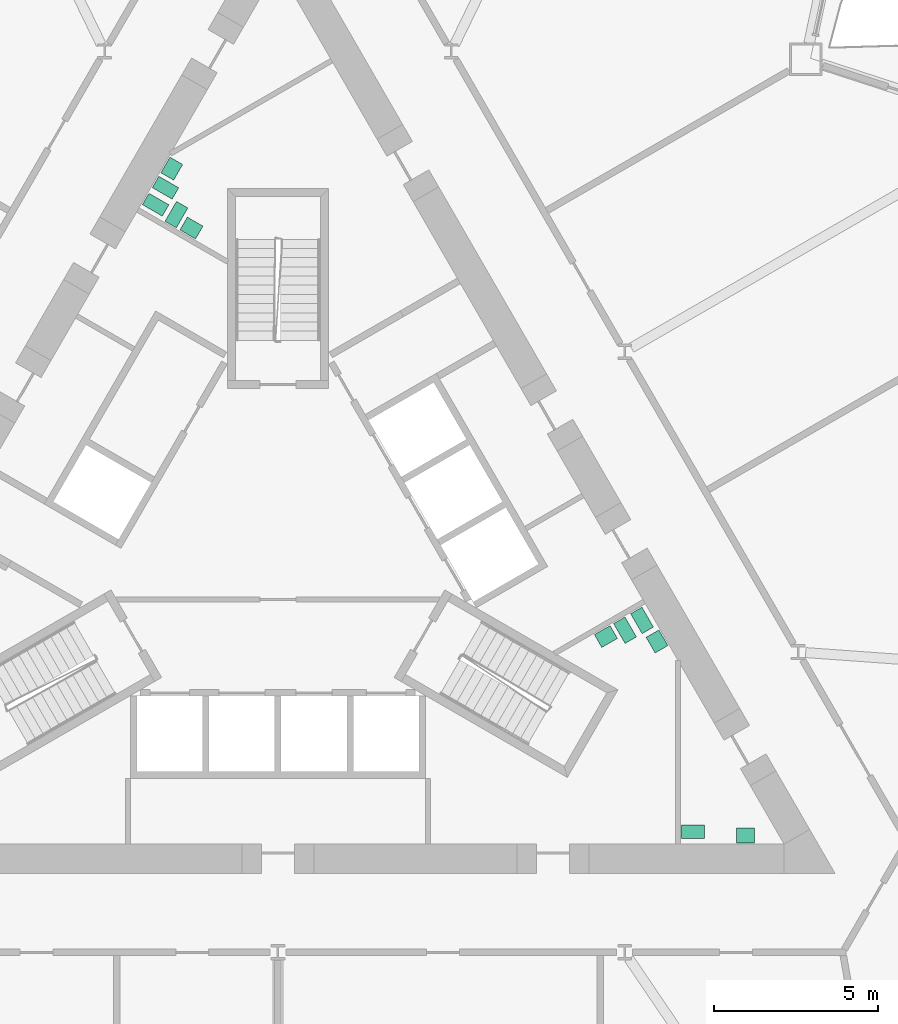
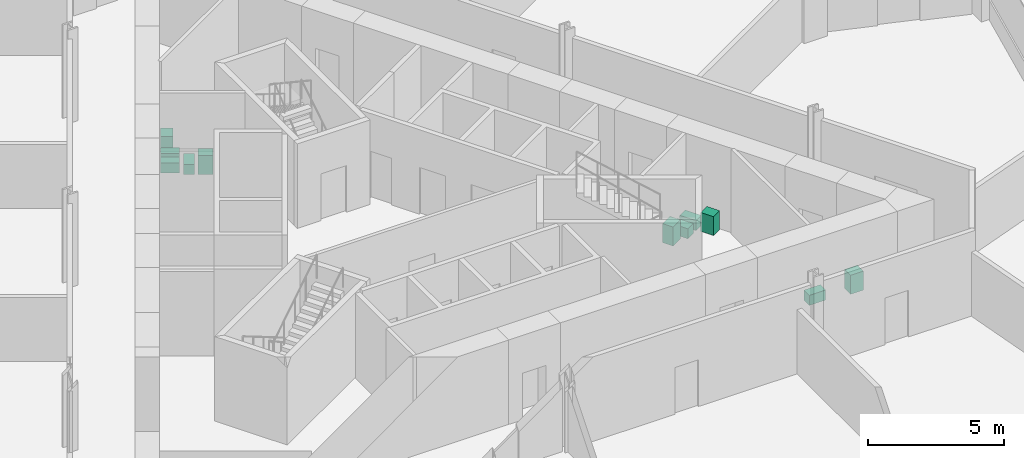
# One storey, part 20 of 21: 11 sanitary terminals.
"""IFC4 building model written with IfcOpenShell, lengths in metres."""

import ifcopenshell
import ifcopenshell.guid

model = None  # the IFC model being written
_history = None  # IfcOwnerHistory: only IFC2X3 demands one
_inside = {}  # id of a spatial element -> (the spatial element, [elements in it])
_under = {}  # id of a project, library or spatial element -> (it, [spatial elements below it])
_declared = {}  # id of a project -> (the project, [libraries it declares])
_typed = {}  # id of a type object -> (the type object, [elements of that type])
_made_of = {}  # id of a material, layer set ... -> (it, [elements and type objects made of it])


def new_model(schema):
    """Start an empty IFC model of exactly this schema.

    Asked for "IFC4X3", IfcOpenShell would pick the latest addendum, in which some entities
    have other attributes; the version numbers below select the first issue.
    IFC2X3 requires an IfcOwnerHistory on every rooted entity: one is made here for all.
    """
    global model, _history
    if schema == "IFC4X3":
        model = ifcopenshell.file(schema_version=(4, 3, 0, 0))
    else:
        model = ifcopenshell.file(schema=schema)
    _inside.clear()
    _under.clear()
    _declared.clear()
    _typed.clear()
    _made_of.clear()
    _history = None
    if model.schema == "IFC2X3":
        org = make("IfcOrganization", Name="unknown")
        user = make(
            "IfcPersonAndOrganization",
            ThePerson=make("IfcPerson", FamilyName="unknown"),
            TheOrganization=org,
        )
        app = make(
            "IfcApplication",
            ApplicationDeveloper=org,
            Version="unknown",
            ApplicationFullName="unknown",
            ApplicationIdentifier="unknown",
        )
        _history = make(
            "IfcOwnerHistory",
            OwningUser=user,
            OwningApplication=app,
            ChangeAction="ADDED",
            CreationDate=0,
        )
    return model


def make(cls, **values):
    """One entity of the class cls with the attributes given. An attribute that is None is left unset."""
    return model.create_entity(
        cls, **{name: value for name, value in values.items() if value is not None}
    )


def rooted(cls, **values):
    """An entity with a GlobalId (a new one), such as an element, a storey or a relation."""
    return make(cls, GlobalId=ifcopenshell.guid.new(), OwnerHistory=_history, **values)


def si_unit(unit_type, name, prefix=None):
    """IfcSIUnit, for example si_unit("LENGTHUNIT", "METRE", prefix="MILLI")."""
    return make("IfcSIUnit", UnitType=unit_type, Prefix=prefix, Name=name)


def assignment(units):
    """IfcUnitAssignment: the units of a project."""
    return None if units is None else make("IfcUnitAssignment", Units=units)


def point(xyz):
    """IfcCartesianPoint."""
    return None if xyz is None else make("IfcCartesianPoint", Coordinates=xyz)


def direction(xyz):
    """IfcDirection."""
    return None if xyz is None else make("IfcDirection", DirectionRatios=xyz)


def frame(location, z_axis=None, x_axis=None):
    """IfcAxis2Placement3D, a coordinate frame: its origin and axes. An axis left out is left unset."""
    return make(
        "IfcAxis2Placement3D",
        Location=point(location),
        Axis=direction(z_axis),
        RefDirection=direction(x_axis),
    )


def frame_2d(location, x_axis=None):
    """IfcAxis2Placement2D, a coordinate frame in the plane: its origin and x axis."""
    return make(
        "IfcAxis2Placement2D", Location=point(location), RefDirection=direction(x_axis)
    )


def origin():
    """The frame at (0, 0, 0) with its axes left unset."""
    return frame((0.0, 0.0, 0.0))


def origin_2d():
    """The frame at (0, 0) in the plane with its x axis left unset."""
    return frame_2d((0.0, 0.0))


def place(relative_to, where):
    """IfcLocalPlacement: puts the frame where relative to a parent placement (None: the world)."""
    return make(
        "IfcLocalPlacement", PlacementRelTo=relative_to, RelativePlacement=where
    )


def context(
    kind, dimensions, precision=None, world=None, true_north=None, identifier=None
):
    """IfcGeometricRepresentationContext, for example the 3D "Model" context."""
    return make(
        "IfcGeometricRepresentationContext",
        ContextIdentifier=identifier,
        ContextType=kind,
        CoordinateSpaceDimension=dimensions,
        Precision=precision,
        WorldCoordinateSystem=world,
        TrueNorth=true_north,
    )


def subcontext(parent, identifier, kind, view, scale=None):
    """IfcGeometricRepresentationSubContext, for example "Body" below "Model"."""
    return make(
        "IfcGeometricRepresentationSubContext",
        ContextIdentifier=identifier,
        ContextType=kind,
        ParentContext=parent,
        TargetScale=scale,
        TargetView=view,
    )


def project(units=None, contexts=None):
    """IfcProject with its units and contexts."""
    return rooted(
        "IfcProject",
        Name="project",
        RepresentationContexts=contexts,
        UnitsInContext=assignment(units),
    )


def spatial(cls, under=None, at=None, **own):
    """A site, building, storey or space (cls), placed at a placement, below another one or the project."""
    s = rooted(cls, ObjectPlacement=at, **own)
    if under is not None:
        _under.setdefault(under.id(), (under, []))[1].append(s)
    return s


def profile(cls, at=None, kind="AREA", **sizes):
    """A parametric profile (cls). Its sizes go by their IFC names, for example OverallWidth=200.0."""
    return make(cls, ProfileType=kind, Position=at, **sizes)


def rectangle(**sizes):
    """IfcRectangleProfileDef."""
    return profile("IfcRectangleProfileDef", **sizes)


def extrude(swept, where, along, depth):
    """IfcExtrudedAreaSolid: the profile swept, set in the frame where, extruded along a direction by depth."""
    return make(
        "IfcExtrudedAreaSolid",
        SweptArea=swept,
        Position=where,
        ExtrudedDirection=direction(along),
        Depth=depth,
    )


def shape(context_of_items, identifier, shape_type, items):
    """IfcShapeRepresentation: the items that make up one representation, for example the "Body"."""
    return make(
        "IfcShapeRepresentation",
        ContextOfItems=context_of_items,
        RepresentationIdentifier=identifier,
        RepresentationType=shape_type,
        Items=items,
    )


def material(Name=None, Category=None):
    """IfcMaterial."""
    return make("IfcMaterial", Name=Name, Category=Category)


def made_of(thing, what):
    """Note that an element or type object is made of a material, layer set ...; save() writes the relation."""
    if what is not None:
        _made_of.setdefault(what.id(), (what, []))[1].append(thing)
    return thing


def type_object(cls, material=None, **own):
    """A type object (cls), such as IfcWallType, which elements share."""
    return made_of(rooted(cls, **own), material)


def element(
    cls,
    number,
    at=None,
    inside=None,
    cuts=None,
    type_object=None,
    material=None,
    context=None,
    identifier="Body",
    shape_type=None,
    held_by="IfcProductDefinitionShape",
    body=None,
    shapes=None,
    **own,
):
    """One element of the class cls, such as IfcWall. Its Tag is "e" and its number.

    at: its placement. inside: the storey or other place that contains it. cuts: it is an
    opening in that element (IfcRelVoidsElement). A single representation is given by context,
    identifier, shape_type and body (its items); several are given by shapes. held_by: the class
    of the entity that holds the representations. save() writes the other relations.
    """
    e = rooted(cls, Tag="e%d" % number, ObjectPlacement=at, **own)
    if body is not None:
        shapes = [shape(context, identifier, shape_type, body)]
    if shapes is not None:
        e.Representation = make(held_by, Representations=shapes)
    if inside is not None:
        _inside.setdefault(inside.id(), (inside, []))[1].append(e)
    if cuts is not None:
        rooted(
            "IfcRelVoidsElement", RelatingBuildingElement=cuts, RelatedOpeningElement=e
        )
    if type_object is not None:
        _typed.setdefault(type_object.id(), (type_object, []))[1].append(e)
    return made_of(e, material)


def aggregate(whole, parts):
    """IfcRelAggregates: a whole, such as a stair, and the parts it consists of."""
    return rooted("IfcRelAggregates", RelatingObject=whole, RelatedObjects=parts)


def save(model, path):
    """Write the relations noted so far, then the file.

    IfcRelAggregates (storeys below a building ...), IfcRelContainedInSpatialStructure (elements
    in a storey), IfcRelDefinesByType, IfcRelAssociatesMaterial and IfcRelDeclares: one each for
    every whole, place, type object, material and project.
    """
    for whole, parts in _under.values():
        aggregate(whole, parts)
    for where, things in _inside.values():
        rooted(
            "IfcRelContainedInSpatialStructure",
            RelatedElements=things,
            RelatingStructure=where,
        )
    for kind, things in _typed.values():
        rooted("IfcRelDefinesByType", RelatedObjects=things, RelatingType=kind)
    for what, things in _made_of.values():
        rooted("IfcRelAssociatesMaterial", RelatedObjects=things, RelatingMaterial=what)
    for by, libraries in _declared.values():
        rooted("IfcRelDeclares", RelatingContext=by, RelatedDefinitions=libraries)
    model.write(path)


model = new_model("IFC4")

# Units and contexts
model_context = context("Model", 3, precision=1e-05, world=origin(), true_north=direction((0.0, 1.0)))
body_context = subcontext(model_context, "Body", "Model", "MODEL_VIEW")
ifc_project = project(units=[si_unit("LENGTHUNIT", "METRE"), si_unit("AREAUNIT", "SQUARE_METRE"), si_unit("VOLUMEUNIT", "CUBIC_METRE"), si_unit("PLANEANGLEUNIT", "RADIAN"), si_unit("MASSUNIT", "GRAM", prefix="KILO")], contexts=[model_context])

# Site, building, storey
site_placement = place(None, origin())
site = spatial("IfcSite", under=ifc_project, at=site_placement, CompositionType="ELEMENT")
building_placement = place(site_placement, origin())
building = spatial("IfcBuilding", under=site, at=building_placement, Name="Cormorant Prow Tower", CompositionType="ELEMENT")
storey_placement = place(building_placement, frame((0.0, 0.0, 72.0)))
storey = spatial("IfcBuildingStorey", under=building, at=storey_placement, Name="L15", CompositionType="ELEMENT", Elevation=72.0)

# Sanitary terminals
ifc_material_1 = material(Name="Vitreous china")
sanitary_terminal_type_1 = type_object("IfcSanitaryTerminalType", Name="Wash basin 550x450", PredefinedType="WASHHANDBASIN", material=ifc_material_1)
for number, where, z_axis, x_axis, name in (
    (1, (-3.2373046875, 11.6923828125, 0.0), (0.0, 0.0, 1.0), (-0.500015114919, -0.866016677006, 0.0), "Wash basin"),
    (2, (-2.6376953125, 9.881103515625, 0.0), (0.0, 0.0, 1.0), (0.866016677006, -0.500015114919, 0.0), "Wash basin"),
    (3, (11.564697265625, -2.730712890625, 0.0), (0.0, 0.0, 1.0), (-0.499984884929, 0.866034130299, 0.0), "Wash basin"),
    (4, (10.006103515625, -2.581298828125, 0.0), (0.0, 0.0, 1.0), (-0.866016677006, -0.500015114919, 0.0), "Wash basin"),
    (5, (14.268798828125, -8.64990234375, 0.0), (0.0, 0.0, 1.0), (1.0, 0.0, 0.0), "Wash basin"),
):
    element("IfcSanitaryTerminal", number, at=place(storey_placement, frame(where, z_axis=z_axis, x_axis=x_axis)), inside=storey, type_object=sanitary_terminal_type_1, Name=name, PredefinedType="WASHHANDBASIN", context=body_context, shape_type="SweptSolid", body=[
        extrude(rectangle(XDim=0.550048828125, YDim=0.449951171875, at=origin_2d()), origin(), (0.0, 0.0, 1.0), 0.85009765625),
    ])
ifc_material_2 = material(Name="Vitreous china")
sanitary_terminal_type_2 = type_object("IfcSanitaryTerminalType", Name="Water closet 400x700", PredefinedType="WCSEAT", material=ifc_material_2)
for number, where, z_axis, x_axis, name in (
    (6, (-3.729248046875, 10.5908203125, 0.0), (0.0, 0.0, 1.0), (-0.500015114919, -0.866016677006, 0.0), "Water closet"),
    (7, (-3.42919921875, 11.1103515625, 0.0), (0.0, 0.0, 1.0), (-0.500015114919, -0.866016677006, 0.0), "Water closet"),
    (8, (-3.0947265625, 10.289306640625, 0.0), (0.0, 0.0, 1.0), (0.866016677006, -0.500015114919, 0.0), "Water closet"),
    (9, (11.10791015625, -2.089599609375, 0.0), (0.0, 0.0, 1.0), (-0.866016677006, -0.500015114919, 0.0), "Water closet"),
    (10, (10.58837890625, -2.3896484375, 0.0), (0.0, 0.0, 1.0), (-0.866016677006, -0.500015114919, 0.0), "Water closet"),
    (11, (12.668701171875, -8.537109375, 0.0), (0.0, 0.0, 1.0), (0.0, -1.0, 0.0), "Water closet"),
):
    element("IfcSanitaryTerminal", number, at=place(storey_placement, frame(where, z_axis=z_axis, x_axis=x_axis)), inside=storey, type_object=sanitary_terminal_type_2, Name=name, PredefinedType="WCSEAT", context=body_context, shape_type="SweptSolid", body=[
        extrude(rectangle(XDim=0.39990234375, YDim=0.699951171875, at=origin_2d()), origin(), (0.0, 0.0, 1.0), 0.449951171875),
    ])

save(model, "model.ifc")
